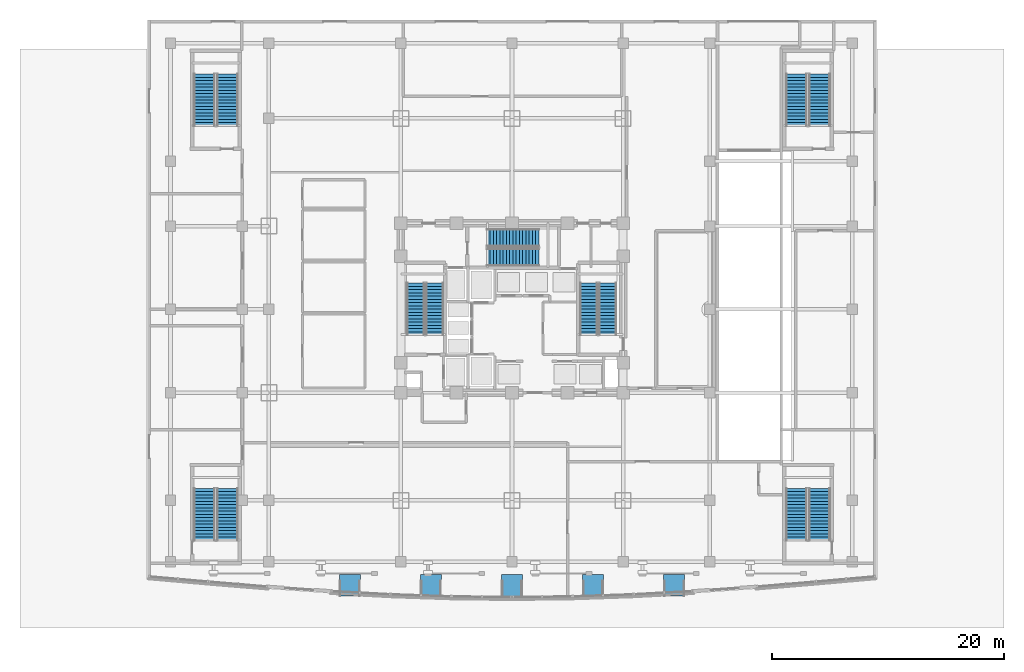
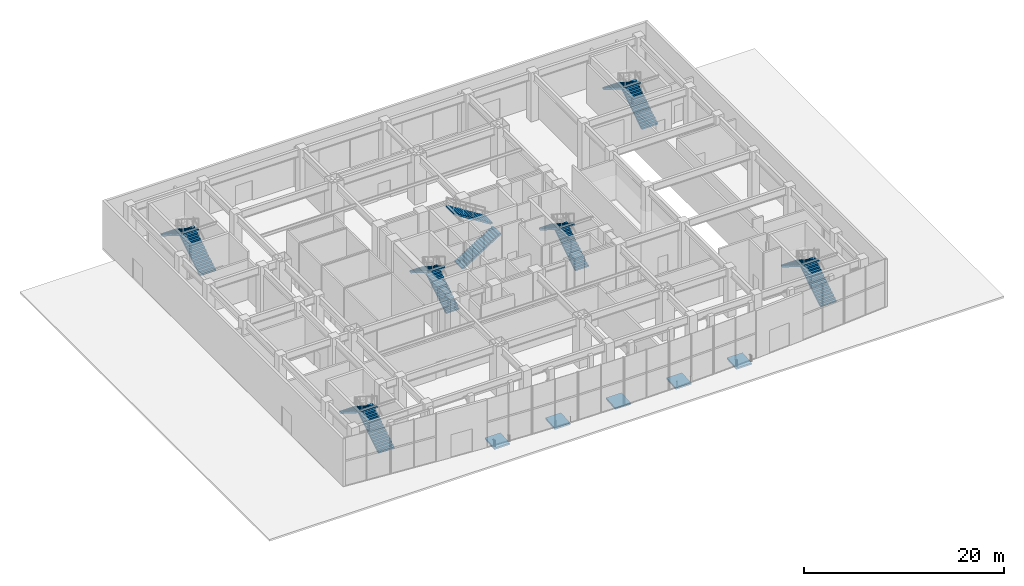
# One storey, part 16 of 23: 14 stair flights, 5 ramp flights, 12 elements without a shape of their own.
"""IFC4 building model written with IfcOpenShell, lengths in metres."""

from ifc_helpers import new_model, si_unit, direction, frame, origin, place, context, subcontext, project, spatial, polyline, outline, extrude, material, layer, layer_set, type_object, element, aggregate, save


model = new_model("IFC4")

# Units and contexts
model_context = context("Model", 3, precision=1e-05, world=origin(), true_north=direction((0.0, 1.0)))
body_context = subcontext(model_context, "Body", "Model", "MODEL_VIEW")
ifc_project = project(units=[si_unit("LENGTHUNIT", "METRE"), si_unit("AREAUNIT", "SQUARE_METRE"), si_unit("VOLUMEUNIT", "CUBIC_METRE"), si_unit("PLANEANGLEUNIT", "RADIAN"), si_unit("MASSUNIT", "GRAM", prefix="KILO")], contexts=[model_context])

# Site, building, storey
site_placement = place(None, origin())
site = spatial("IfcSite", under=ifc_project, at=site_placement, CompositionType="ELEMENT")
building_placement = place(site_placement, origin())
building = spatial("IfcBuilding", under=site, at=building_placement, Name="Vantalir Tower", CompositionType="ELEMENT")
storey_placement = place(building_placement, origin())
storey = spatial("IfcBuildingStorey", under=building, at=storey_placement, Name="L00", CompositionType="ELEMENT", Elevation=0.0)

# Stair, stair flights
ifc_material = material(Name="Concrete C40/50", Category="concrete")
stair_type_1 = type_object("IfcStairType", Name="STR-CORE-1450", PredefinedType="HALF_TURN_STAIR", material=ifc_material)
stair_1_placement = place(storey_placement, origin())
stair_1 = element("IfcStair", 1, at=stair_1_placement, inside=storey, type_object=stair_type_1, Name="L00 Core Exit Stair 1", PredefinedType="HALF_TURN_STAIR")
stair_flight_type_1 = type_object("IfcStairFlightType", Name="FLT-CORE-1450", PredefinedType="STRAIGHT", material=ifc_material)
stair_flight_1_placement = place(storey_placement, frame((24.830078125, 22.7900390625, 0.0), z_axis=(0.0, 0.0, 1.0), x_axis=(0.0, 1.0, 0.0)))
stair_flight_1 = element("IfcStairFlight", 2, at=stair_flight_1_placement, type_object=stair_flight_type_1, Name="ST1 flight 1", NumberOfRisers=17, NumberOfTreads=16, PredefinedType="STRAIGHT", RiserHeight=0.176470588, TreadLength=0.28, context=body_context, shape_type="SweptSolid", body=[
    extrude(outline(polyline([(0.0, 0.0), (0.0, 0.176513671875), (0.280029296875, 0.176513671875), (0.280029296875, 0.35302734375), (0.56005859375, 0.35302734375), (0.56005859375, 0.529296875), (0.840087890625, 0.529296875), (0.840087890625, 0.705810546875), (1.1201171875, 0.705810546875), (1.1201171875, 0.88232421875), (1.39990234375, 0.88232421875), (1.39990234375, 1.058837890625), (1.679931640625, 1.058837890625), (1.679931640625, 1.2353515625), (1.9599609375, 1.2353515625), (1.9599609375, 1.411865234375), (2.239990234375, 1.411865234375), (2.239990234375, 1.588134765625), (2.52001953125, 1.588134765625), (2.52001953125, 1.7646484375), (2.800048828125, 1.7646484375), (2.800048828125, 1.941162109375), (3.080078125, 1.941162109375), (3.080078125, 2.11767578125), (3.360107421875, 2.11767578125), (3.360107421875, 2.294189453125), (3.639892578125, 2.294189453125), (3.639892578125, 2.470703125), (3.919921875, 2.470703125), (3.919921875, 2.64697265625), (4.199951171875, 2.64697265625), (4.199951171875, 2.823486328125), (4.47998046875, 2.823486328125), (4.47998046875, 3.0), (4.47998046875, 2.646240234375), (0.28125, 0.0), (0.0, 0.0)])), frame((0.0, 0.77001953125, 0.0), z_axis=(0.0, -1.0, 0.0), x_axis=(1.0, 0.0, 0.0)), (0.0, 0.0, 1.0), 1.5400390625),
])
stair_flight_2_placement = place(storey_placement, frame((23.169921875, 27.27001953125, 3.0), z_axis=(0.0, 0.0, 1.0), x_axis=(0.0, -1.0, 0.0)))
stair_flight_2 = element("IfcStairFlight", 3, at=stair_flight_2_placement, type_object=stair_flight_type_1, Name="ST1 flight 2", NumberOfRisers=17, NumberOfTreads=16, PredefinedType="STRAIGHT", RiserHeight=0.176470588, TreadLength=0.28, context=body_context, shape_type="SweptSolid", body=[
    extrude(outline(polyline([(0.0, 0.0), (0.0, 0.176513671875), (0.280029296875, 0.176513671875), (0.280029296875, 0.35302734375), (0.56005859375, 0.35302734375), (0.56005859375, 0.529296875), (0.840087890625, 0.529296875), (0.840087890625, 0.705810546875), (1.1201171875, 0.705810546875), (1.1201171875, 0.88232421875), (1.39990234375, 0.88232421875), (1.39990234375, 1.058837890625), (1.679931640625, 1.058837890625), (1.679931640625, 1.2353515625), (1.9599609375, 1.2353515625), (1.9599609375, 1.411865234375), (2.239990234375, 1.411865234375), (2.239990234375, 1.588134765625), (2.52001953125, 1.588134765625), (2.52001953125, 1.7646484375), (2.800048828125, 1.7646484375), (2.800048828125, 1.941162109375), (3.080078125, 1.941162109375), (3.080078125, 2.11767578125), (3.360107421875, 2.11767578125), (3.360107421875, 2.294189453125), (3.639892578125, 2.294189453125), (3.639892578125, 2.470703125), (3.919921875, 2.470703125), (3.919921875, 2.64697265625), (4.199951171875, 2.64697265625), (4.199951171875, 2.823486328125), (4.47998046875, 2.823486328125), (4.47998046875, 3.0), (4.47998046875, 2.646240234375), (0.28125, 0.0), (0.0, 0.0)])), frame((0.0, 0.77001953125, 0.0), z_axis=(0.0, -1.0, 0.0), x_axis=(1.0, 0.0, 0.0)), (0.0, 0.0, 1.0), 1.5400390625),
])
aggregate(stair_1, [stair_flight_1, stair_flight_2])

stair_2_placement = place(storey_placement, origin())
stair_2 = element("IfcStair", 4, at=stair_2_placement, inside=storey, type_object=stair_type_1, Name="L00 Core Exit Stair 2", PredefinedType="HALF_TURN_STAIR")
stair_flight_3_placement = place(storey_placement, frame((39.780029296875, 22.7900390625, 0.0), z_axis=(0.0, 0.0, 1.0), x_axis=(0.0, 1.0, 0.0)))
stair_flight_3 = element("IfcStairFlight", 5, at=stair_flight_3_placement, type_object=stair_flight_type_1, Name="ST2 flight 1", NumberOfRisers=17, NumberOfTreads=16, PredefinedType="STRAIGHT", RiserHeight=0.176470588, TreadLength=0.28, context=body_context, shape_type="SweptSolid", body=[
    extrude(outline(polyline([(0.0, 0.0), (0.0, 0.176513671875), (0.280029296875, 0.176513671875), (0.280029296875, 0.35302734375), (0.56005859375, 0.35302734375), (0.56005859375, 0.529296875), (0.840087890625, 0.529296875), (0.840087890625, 0.705810546875), (1.1201171875, 0.705810546875), (1.1201171875, 0.88232421875), (1.39990234375, 0.88232421875), (1.39990234375, 1.058837890625), (1.679931640625, 1.058837890625), (1.679931640625, 1.2353515625), (1.9599609375, 1.2353515625), (1.9599609375, 1.411865234375), (2.239990234375, 1.411865234375), (2.239990234375, 1.588134765625), (2.52001953125, 1.588134765625), (2.52001953125, 1.7646484375), (2.800048828125, 1.7646484375), (2.800048828125, 1.941162109375), (3.080078125, 1.941162109375), (3.080078125, 2.11767578125), (3.360107421875, 2.11767578125), (3.360107421875, 2.294189453125), (3.639892578125, 2.294189453125), (3.639892578125, 2.470703125), (3.919921875, 2.470703125), (3.919921875, 2.64697265625), (4.199951171875, 2.64697265625), (4.199951171875, 2.823486328125), (4.47998046875, 2.823486328125), (4.47998046875, 3.0), (4.47998046875, 2.646240234375), (0.28125, 0.0), (0.0, 0.0)])), frame((0.0, 0.77001953125, 0.0), z_axis=(0.0, -1.0, 0.0), x_axis=(1.0, 0.0, 0.0)), (0.0, 0.0, 1.0), 1.5400390625),
])
stair_flight_4_placement = place(storey_placement, frame((38.1201171875, 27.27001953125, 3.0), z_axis=(0.0, 0.0, 1.0), x_axis=(0.0, -1.0, 0.0)))
stair_flight_4 = element("IfcStairFlight", 6, at=stair_flight_4_placement, type_object=stair_flight_type_1, Name="ST2 flight 2", NumberOfRisers=17, NumberOfTreads=16, PredefinedType="STRAIGHT", RiserHeight=0.176470588, TreadLength=0.28, context=body_context, shape_type="SweptSolid", body=[
    extrude(outline(polyline([(0.0, 0.0), (0.0, 0.176513671875), (0.280029296875, 0.176513671875), (0.280029296875, 0.35302734375), (0.56005859375, 0.35302734375), (0.56005859375, 0.529296875), (0.840087890625, 0.529296875), (0.840087890625, 0.705810546875), (1.1201171875, 0.705810546875), (1.1201171875, 0.88232421875), (1.39990234375, 0.88232421875), (1.39990234375, 1.058837890625), (1.679931640625, 1.058837890625), (1.679931640625, 1.2353515625), (1.9599609375, 1.2353515625), (1.9599609375, 1.411865234375), (2.239990234375, 1.411865234375), (2.239990234375, 1.588134765625), (2.52001953125, 1.588134765625), (2.52001953125, 1.7646484375), (2.800048828125, 1.7646484375), (2.800048828125, 1.941162109375), (3.080078125, 1.941162109375), (3.080078125, 2.11767578125), (3.360107421875, 2.11767578125), (3.360107421875, 2.294189453125), (3.639892578125, 2.294189453125), (3.639892578125, 2.470703125), (3.919921875, 2.470703125), (3.919921875, 2.64697265625), (4.199951171875, 2.64697265625), (4.199951171875, 2.823486328125), (4.47998046875, 2.823486328125), (4.47998046875, 3.0), (4.47998046875, 2.646240234375), (0.28125, 0.0), (0.0, 0.0)])), frame((0.0, 0.77001953125, 0.0), z_axis=(0.0, -1.0, 0.0), x_axis=(1.0, 0.0, 0.0)), (0.0, 0.0, 1.0), 1.5400390625),
])
aggregate(stair_2, [stair_flight_3, stair_flight_4])

stair_3_placement = place(storey_placement, origin())
stair_3 = element("IfcStair", 7, at=stair_3_placement, inside=storey, type_object=stair_type_1, Name="L00 Core Exit Stair 3", PredefinedType="HALF_TURN_STAIR")
stair_flight_5_placement = place(storey_placement, frame((29.340087890625, 29.52001953125, 0.0), z_axis=(0.0, 0.0, 1.0), x_axis=(1.0, 0.0, 0.0)))
stair_flight_5 = element("IfcStairFlight", 8, at=stair_flight_5_placement, type_object=stair_flight_type_1, Name="ST3 flight 1", NumberOfRisers=17, NumberOfTreads=16, PredefinedType="STRAIGHT", RiserHeight=0.176470588, TreadLength=0.28, context=body_context, shape_type="SweptSolid", body=[
    extrude(outline(polyline([(0.0, 0.0), (0.0, 0.176513671875), (0.280029296875, 0.176513671875), (0.280029296875, 0.35302734375), (0.56005859375, 0.35302734375), (0.56005859375, 0.529296875), (0.840087890625, 0.529296875), (0.840087890625, 0.705810546875), (1.1201171875, 0.705810546875), (1.1201171875, 0.88232421875), (1.39990234375, 0.88232421875), (1.39990234375, 1.058837890625), (1.679931640625, 1.058837890625), (1.679931640625, 1.2353515625), (1.9599609375, 1.2353515625), (1.9599609375, 1.411865234375), (2.239990234375, 1.411865234375), (2.239990234375, 1.588134765625), (2.52001953125, 1.588134765625), (2.52001953125, 1.7646484375), (2.800048828125, 1.7646484375), (2.800048828125, 1.941162109375), (3.080078125, 1.941162109375), (3.080078125, 2.11767578125), (3.360107421875, 2.11767578125), (3.360107421875, 2.294189453125), (3.639892578125, 2.294189453125), (3.639892578125, 2.470703125), (3.919921875, 2.470703125), (3.919921875, 2.64697265625), (4.199951171875, 2.64697265625), (4.199951171875, 2.823486328125), (4.47998046875, 2.823486328125), (4.47998046875, 3.0), (4.47998046875, 2.646240234375), (0.28125, 0.0), (0.0, 0.0)])), frame((0.0, 0.77001953125, 0.0), z_axis=(0.0, -1.0, 0.0), x_axis=(1.0, 0.0, 0.0)), (0.0, 0.0, 1.0), 1.5400390625),
])
stair_flight_6_placement = place(storey_placement, frame((33.820068359375, 31.179931640625, 3.0), z_axis=(0.0, 0.0, 1.0), x_axis=(-1.0, 0.0, 0.0)))
stair_flight_6 = element("IfcStairFlight", 9, at=stair_flight_6_placement, type_object=stair_flight_type_1, Name="ST3 flight 2", NumberOfRisers=17, NumberOfTreads=16, PredefinedType="STRAIGHT", RiserHeight=0.176470588, TreadLength=0.28, context=body_context, shape_type="SweptSolid", body=[
    extrude(outline(polyline([(0.0, 0.0), (0.0, 0.176513671875), (0.280029296875, 0.176513671875), (0.280029296875, 0.35302734375), (0.56005859375, 0.35302734375), (0.56005859375, 0.529296875), (0.840087890625, 0.529296875), (0.840087890625, 0.705810546875), (1.1201171875, 0.705810546875), (1.1201171875, 0.88232421875), (1.39990234375, 0.88232421875), (1.39990234375, 1.058837890625), (1.679931640625, 1.058837890625), (1.679931640625, 1.2353515625), (1.9599609375, 1.2353515625), (1.9599609375, 1.411865234375), (2.239990234375, 1.411865234375), (2.239990234375, 1.588134765625), (2.52001953125, 1.588134765625), (2.52001953125, 1.7646484375), (2.800048828125, 1.7646484375), (2.800048828125, 1.941162109375), (3.080078125, 1.941162109375), (3.080078125, 2.11767578125), (3.360107421875, 2.11767578125), (3.360107421875, 2.294189453125), (3.639892578125, 2.294189453125), (3.639892578125, 2.470703125), (3.919921875, 2.470703125), (3.919921875, 2.64697265625), (4.199951171875, 2.64697265625), (4.199951171875, 2.823486328125), (4.47998046875, 2.823486328125), (4.47998046875, 3.0), (4.47998046875, 2.646240234375), (0.28125, 0.0), (0.0, 0.0)])), frame((0.0, 0.77001953125, 0.0), z_axis=(0.0, -1.0, 0.0), x_axis=(1.0, 0.0, 0.0)), (0.0, 0.0, 1.0), 1.5400390625),
])
aggregate(stair_3, [stair_flight_5, stair_flight_6])

stair_type_2 = type_object("IfcStairType", Name="STR-POD-1550", PredefinedType="HALF_TURN_STAIR", material=ifc_material)
stair_4_placement = place(storey_placement, origin())
stair_4 = element("IfcStair", 10, at=stair_4_placement, inside=storey, type_object=stair_type_2, Name="L00 Podium Exit Stair 1", PredefinedType="HALF_TURN_STAIR")
stair_flight_type_2 = type_object("IfcStairFlightType", Name="FLT-POD-1550", PredefinedType="STRAIGHT", material=ifc_material)
stair_flight_7_placement = place(storey_placement, frame((6.925048828125, 40.85009765625, 0.0), z_axis=(0.0, 0.0, 1.0), x_axis=(0.0, 1.0, 0.0)))
stair_flight_7 = element("IfcStairFlight", 11, at=stair_flight_7_placement, type_object=stair_flight_type_2, Name="PST1 flight 1", NumberOfRisers=17, NumberOfTreads=16, PredefinedType="STRAIGHT", RiserHeight=0.176470588, TreadLength=0.28, context=body_context, shape_type="SweptSolid", body=[
    extrude(outline(polyline([(0.0, 0.0), (0.0, 0.176513671875), (0.280029296875, 0.176513671875), (0.280029296875, 0.35302734375), (0.56005859375, 0.35302734375), (0.56005859375, 0.529296875), (0.840087890625, 0.529296875), (0.840087890625, 0.705810546875), (1.1201171875, 0.705810546875), (1.1201171875, 0.88232421875), (1.39990234375, 0.88232421875), (1.39990234375, 1.058837890625), (1.679931640625, 1.058837890625), (1.679931640625, 1.2353515625), (1.9599609375, 1.2353515625), (1.9599609375, 1.411865234375), (2.239990234375, 1.411865234375), (2.239990234375, 1.588134765625), (2.52001953125, 1.588134765625), (2.52001953125, 1.7646484375), (2.800048828125, 1.7646484375), (2.800048828125, 1.941162109375), (3.080078125, 1.941162109375), (3.080078125, 2.11767578125), (3.360107421875, 2.11767578125), (3.360107421875, 2.294189453125), (3.639892578125, 2.294189453125), (3.639892578125, 2.470703125), (3.919921875, 2.470703125), (3.919921875, 2.64697265625), (4.199951171875, 2.64697265625), (4.199951171875, 2.823486328125), (4.47998046875, 2.823486328125), (4.47998046875, 3.0), (4.47998046875, 2.646240234375), (0.28125, 0.0), (0.0, 0.0)])), frame((0.0, 0.925048828125, 0.0), z_axis=(0.0, -1.0, 0.0), x_axis=(1.0, 0.0, 0.0)), (0.0, 0.0, 1.0), 1.85009765625),
])
stair_flight_8_placement = place(storey_placement, frame((4.925048828125, 45.330078125, 3.0), z_axis=(0.0, 0.0, 1.0), x_axis=(0.0, -1.0, 0.0)))
stair_flight_8 = element("IfcStairFlight", 12, at=stair_flight_8_placement, type_object=stair_flight_type_2, Name="PST1 flight 2", NumberOfRisers=17, NumberOfTreads=16, PredefinedType="STRAIGHT", RiserHeight=0.176470588, TreadLength=0.28, context=body_context, shape_type="SweptSolid", body=[
    extrude(outline(polyline([(0.0, 0.0), (0.0, 0.176513671875), (0.280029296875, 0.176513671875), (0.280029296875, 0.35302734375), (0.56005859375, 0.35302734375), (0.56005859375, 0.529296875), (0.840087890625, 0.529296875), (0.840087890625, 0.705810546875), (1.1201171875, 0.705810546875), (1.1201171875, 0.88232421875), (1.39990234375, 0.88232421875), (1.39990234375, 1.058837890625), (1.679931640625, 1.058837890625), (1.679931640625, 1.2353515625), (1.9599609375, 1.2353515625), (1.9599609375, 1.411865234375), (2.239990234375, 1.411865234375), (2.239990234375, 1.588134765625), (2.52001953125, 1.588134765625), (2.52001953125, 1.7646484375), (2.800048828125, 1.7646484375), (2.800048828125, 1.941162109375), (3.080078125, 1.941162109375), (3.080078125, 2.11767578125), (3.360107421875, 2.11767578125), (3.360107421875, 2.294189453125), (3.639892578125, 2.294189453125), (3.639892578125, 2.470703125), (3.919921875, 2.470703125), (3.919921875, 2.64697265625), (4.199951171875, 2.64697265625), (4.199951171875, 2.823486328125), (4.47998046875, 2.823486328125), (4.47998046875, 3.0), (4.47998046875, 2.646240234375), (0.28125, 0.0), (0.0, 0.0)])), frame((0.0, 0.925048828125, 0.0), z_axis=(0.0, -1.0, 0.0), x_axis=(1.0, 0.0, 0.0)), (0.0, 0.0, 1.0), 1.85009765625),
])
aggregate(stair_4, [stair_flight_7, stair_flight_8])

stair_5_placement = place(storey_placement, origin())
stair_5 = element("IfcStair", 13, at=stair_5_placement, inside=storey, type_object=stair_type_2, Name="L00 Podium Exit Stair 2", PredefinedType="HALF_TURN_STAIR")
stair_flight_9_placement = place(storey_placement, frame((58.074951171875, 40.85009765625, 0.0), z_axis=(0.0, 0.0, 1.0), x_axis=(0.0, 1.0, 0.0)))
stair_flight_9 = element("IfcStairFlight", 14, at=stair_flight_9_placement, type_object=stair_flight_type_2, Name="PST2 flight 1", NumberOfRisers=17, NumberOfTreads=16, PredefinedType="STRAIGHT", RiserHeight=0.176470588, TreadLength=0.28, context=body_context, shape_type="SweptSolid", body=[
    extrude(outline(polyline([(0.0, 0.0), (0.0, 0.176513671875), (0.280029296875, 0.176513671875), (0.280029296875, 0.35302734375), (0.56005859375, 0.35302734375), (0.56005859375, 0.529296875), (0.840087890625, 0.529296875), (0.840087890625, 0.705810546875), (1.1201171875, 0.705810546875), (1.1201171875, 0.88232421875), (1.39990234375, 0.88232421875), (1.39990234375, 1.058837890625), (1.679931640625, 1.058837890625), (1.679931640625, 1.2353515625), (1.9599609375, 1.2353515625), (1.9599609375, 1.411865234375), (2.239990234375, 1.411865234375), (2.239990234375, 1.588134765625), (2.52001953125, 1.588134765625), (2.52001953125, 1.7646484375), (2.800048828125, 1.7646484375), (2.800048828125, 1.941162109375), (3.080078125, 1.941162109375), (3.080078125, 2.11767578125), (3.360107421875, 2.11767578125), (3.360107421875, 2.294189453125), (3.639892578125, 2.294189453125), (3.639892578125, 2.470703125), (3.919921875, 2.470703125), (3.919921875, 2.64697265625), (4.199951171875, 2.64697265625), (4.199951171875, 2.823486328125), (4.47998046875, 2.823486328125), (4.47998046875, 3.0), (4.47998046875, 2.646240234375), (0.28125, 0.0), (0.0, 0.0)])), frame((0.0, 0.925048828125, 0.0), z_axis=(0.0, -1.0, 0.0), x_axis=(1.0, 0.0, 0.0)), (0.0, 0.0, 1.0), 1.85009765625),
])
stair_flight_10_placement = place(storey_placement, frame((56.074951171875, 45.330078125, 3.0), z_axis=(0.0, 0.0, 1.0), x_axis=(0.0, -1.0, 0.0)))
stair_flight_10 = element("IfcStairFlight", 15, at=stair_flight_10_placement, type_object=stair_flight_type_2, Name="PST2 flight 2", NumberOfRisers=17, NumberOfTreads=16, PredefinedType="STRAIGHT", RiserHeight=0.176470588, TreadLength=0.28, context=body_context, shape_type="SweptSolid", body=[
    extrude(outline(polyline([(0.0, 0.0), (0.0, 0.176513671875), (0.280029296875, 0.176513671875), (0.280029296875, 0.35302734375), (0.56005859375, 0.35302734375), (0.56005859375, 0.529296875), (0.840087890625, 0.529296875), (0.840087890625, 0.705810546875), (1.1201171875, 0.705810546875), (1.1201171875, 0.88232421875), (1.39990234375, 0.88232421875), (1.39990234375, 1.058837890625), (1.679931640625, 1.058837890625), (1.679931640625, 1.2353515625), (1.9599609375, 1.2353515625), (1.9599609375, 1.411865234375), (2.239990234375, 1.411865234375), (2.239990234375, 1.588134765625), (2.52001953125, 1.588134765625), (2.52001953125, 1.7646484375), (2.800048828125, 1.7646484375), (2.800048828125, 1.941162109375), (3.080078125, 1.941162109375), (3.080078125, 2.11767578125), (3.360107421875, 2.11767578125), (3.360107421875, 2.294189453125), (3.639892578125, 2.294189453125), (3.639892578125, 2.470703125), (3.919921875, 2.470703125), (3.919921875, 2.64697265625), (4.199951171875, 2.64697265625), (4.199951171875, 2.823486328125), (4.47998046875, 2.823486328125), (4.47998046875, 3.0), (4.47998046875, 2.646240234375), (0.28125, 0.0), (0.0, 0.0)])), frame((0.0, 0.925048828125, 0.0), z_axis=(0.0, -1.0, 0.0), x_axis=(1.0, 0.0, 0.0)), (0.0, 0.0, 1.0), 1.85009765625),
])
aggregate(stair_5, [stair_flight_9, stair_flight_10])

stair_6_placement = place(storey_placement, origin())
stair_6 = element("IfcStair", 16, at=stair_6_placement, inside=storey, type_object=stair_type_2, Name="L00 Podium Exit Stair 3", PredefinedType="HALF_TURN_STAIR")
stair_flight_11_placement = place(storey_placement, frame((6.925048828125, 5.050048828125, 0.0), z_axis=(0.0, 0.0, 1.0), x_axis=(0.0, 1.0, 0.0)))
stair_flight_11 = element("IfcStairFlight", 17, at=stair_flight_11_placement, type_object=stair_flight_type_2, Name="PST3 flight 1", NumberOfRisers=17, NumberOfTreads=16, PredefinedType="STRAIGHT", RiserHeight=0.176470588, TreadLength=0.28, context=body_context, shape_type="SweptSolid", body=[
    extrude(outline(polyline([(0.0, 0.0), (0.0, 0.176513671875), (0.280029296875, 0.176513671875), (0.280029296875, 0.35302734375), (0.56005859375, 0.35302734375), (0.56005859375, 0.529296875), (0.840087890625, 0.529296875), (0.840087890625, 0.705810546875), (1.1201171875, 0.705810546875), (1.1201171875, 0.88232421875), (1.39990234375, 0.88232421875), (1.39990234375, 1.058837890625), (1.679931640625, 1.058837890625), (1.679931640625, 1.2353515625), (1.9599609375, 1.2353515625), (1.9599609375, 1.411865234375), (2.239990234375, 1.411865234375), (2.239990234375, 1.588134765625), (2.52001953125, 1.588134765625), (2.52001953125, 1.7646484375), (2.800048828125, 1.7646484375), (2.800048828125, 1.941162109375), (3.080078125, 1.941162109375), (3.080078125, 2.11767578125), (3.360107421875, 2.11767578125), (3.360107421875, 2.294189453125), (3.639892578125, 2.294189453125), (3.639892578125, 2.470703125), (3.919921875, 2.470703125), (3.919921875, 2.64697265625), (4.199951171875, 2.64697265625), (4.199951171875, 2.823486328125), (4.47998046875, 2.823486328125), (4.47998046875, 3.0), (4.47998046875, 2.646240234375), (0.28125, 0.0), (0.0, 0.0)])), frame((0.0, 0.925048828125, 0.0), z_axis=(0.0, -1.0, 0.0), x_axis=(1.0, 0.0, 0.0)), (0.0, 0.0, 1.0), 1.85009765625),
])
stair_flight_12_placement = place(storey_placement, frame((4.925048828125, 9.530029296875, 3.0), z_axis=(0.0, 0.0, 1.0), x_axis=(0.0, -1.0, 0.0)))
stair_flight_12 = element("IfcStairFlight", 18, at=stair_flight_12_placement, type_object=stair_flight_type_2, Name="PST3 flight 2", NumberOfRisers=17, NumberOfTreads=16, PredefinedType="STRAIGHT", RiserHeight=0.176470588, TreadLength=0.28, context=body_context, shape_type="SweptSolid", body=[
    extrude(outline(polyline([(0.0, 0.0), (0.0, 0.176513671875), (0.280029296875, 0.176513671875), (0.280029296875, 0.35302734375), (0.56005859375, 0.35302734375), (0.56005859375, 0.529296875), (0.840087890625, 0.529296875), (0.840087890625, 0.705810546875), (1.1201171875, 0.705810546875), (1.1201171875, 0.88232421875), (1.39990234375, 0.88232421875), (1.39990234375, 1.058837890625), (1.679931640625, 1.058837890625), (1.679931640625, 1.2353515625), (1.9599609375, 1.2353515625), (1.9599609375, 1.411865234375), (2.239990234375, 1.411865234375), (2.239990234375, 1.588134765625), (2.52001953125, 1.588134765625), (2.52001953125, 1.7646484375), (2.800048828125, 1.7646484375), (2.800048828125, 1.941162109375), (3.080078125, 1.941162109375), (3.080078125, 2.11767578125), (3.360107421875, 2.11767578125), (3.360107421875, 2.294189453125), (3.639892578125, 2.294189453125), (3.639892578125, 2.470703125), (3.919921875, 2.470703125), (3.919921875, 2.64697265625), (4.199951171875, 2.64697265625), (4.199951171875, 2.823486328125), (4.47998046875, 2.823486328125), (4.47998046875, 3.0), (4.47998046875, 2.646240234375), (0.28125, 0.0), (0.0, 0.0)])), frame((0.0, 0.925048828125, 0.0), z_axis=(0.0, -1.0, 0.0), x_axis=(1.0, 0.0, 0.0)), (0.0, 0.0, 1.0), 1.85009765625),
])
aggregate(stair_6, [stair_flight_11, stair_flight_12])

stair_7_placement = place(storey_placement, origin())
stair_7 = element("IfcStair", 19, at=stair_7_placement, inside=storey, type_object=stair_type_2, Name="L00 Podium Exit Stair 4", PredefinedType="HALF_TURN_STAIR")
stair_flight_13_placement = place(storey_placement, frame((58.074951171875, 5.050048828125, 0.0), z_axis=(0.0, 0.0, 1.0), x_axis=(0.0, 1.0, 0.0)))
stair_flight_13 = element("IfcStairFlight", 20, at=stair_flight_13_placement, type_object=stair_flight_type_2, Name="PST4 flight 1", NumberOfRisers=17, NumberOfTreads=16, PredefinedType="STRAIGHT", RiserHeight=0.176470588, TreadLength=0.28, context=body_context, shape_type="SweptSolid", body=[
    extrude(outline(polyline([(0.0, 0.0), (0.0, 0.176513671875), (0.280029296875, 0.176513671875), (0.280029296875, 0.35302734375), (0.56005859375, 0.35302734375), (0.56005859375, 0.529296875), (0.840087890625, 0.529296875), (0.840087890625, 0.705810546875), (1.1201171875, 0.705810546875), (1.1201171875, 0.88232421875), (1.39990234375, 0.88232421875), (1.39990234375, 1.058837890625), (1.679931640625, 1.058837890625), (1.679931640625, 1.2353515625), (1.9599609375, 1.2353515625), (1.9599609375, 1.411865234375), (2.239990234375, 1.411865234375), (2.239990234375, 1.588134765625), (2.52001953125, 1.588134765625), (2.52001953125, 1.7646484375), (2.800048828125, 1.7646484375), (2.800048828125, 1.941162109375), (3.080078125, 1.941162109375), (3.080078125, 2.11767578125), (3.360107421875, 2.11767578125), (3.360107421875, 2.294189453125), (3.639892578125, 2.294189453125), (3.639892578125, 2.470703125), (3.919921875, 2.470703125), (3.919921875, 2.64697265625), (4.199951171875, 2.64697265625), (4.199951171875, 2.823486328125), (4.47998046875, 2.823486328125), (4.47998046875, 3.0), (4.47998046875, 2.646240234375), (0.28125, 0.0), (0.0, 0.0)])), frame((0.0, 0.925048828125, 0.0), z_axis=(0.0, -1.0, 0.0), x_axis=(1.0, 0.0, 0.0)), (0.0, 0.0, 1.0), 1.85009765625),
])
stair_flight_14_placement = place(storey_placement, frame((56.074951171875, 9.530029296875, 3.0), z_axis=(0.0, 0.0, 1.0), x_axis=(0.0, -1.0, 0.0)))
stair_flight_14 = element("IfcStairFlight", 21, at=stair_flight_14_placement, type_object=stair_flight_type_2, Name="PST4 flight 2", NumberOfRisers=17, NumberOfTreads=16, PredefinedType="STRAIGHT", RiserHeight=0.176470588, TreadLength=0.28, context=body_context, shape_type="SweptSolid", body=[
    extrude(outline(polyline([(0.0, 0.0), (0.0, 0.176513671875), (0.280029296875, 0.176513671875), (0.280029296875, 0.35302734375), (0.56005859375, 0.35302734375), (0.56005859375, 0.529296875), (0.840087890625, 0.529296875), (0.840087890625, 0.705810546875), (1.1201171875, 0.705810546875), (1.1201171875, 0.88232421875), (1.39990234375, 0.88232421875), (1.39990234375, 1.058837890625), (1.679931640625, 1.058837890625), (1.679931640625, 1.2353515625), (1.9599609375, 1.2353515625), (1.9599609375, 1.411865234375), (2.239990234375, 1.411865234375), (2.239990234375, 1.588134765625), (2.52001953125, 1.588134765625), (2.52001953125, 1.7646484375), (2.800048828125, 1.7646484375), (2.800048828125, 1.941162109375), (3.080078125, 1.941162109375), (3.080078125, 2.11767578125), (3.360107421875, 2.11767578125), (3.360107421875, 2.294189453125), (3.639892578125, 2.294189453125), (3.639892578125, 2.470703125), (3.919921875, 2.470703125), (3.919921875, 2.64697265625), (4.199951171875, 2.64697265625), (4.199951171875, 2.823486328125), (4.47998046875, 2.823486328125), (4.47998046875, 3.0), (4.47998046875, 2.646240234375), (0.28125, 0.0), (0.0, 0.0)])), frame((0.0, 0.925048828125, 0.0), z_axis=(0.0, -1.0, 0.0), x_axis=(1.0, 0.0, 0.0)), (0.0, 0.0, 1.0), 1.85009765625),
])
aggregate(stair_7, [stair_flight_13, stair_flight_14])

# Ramp, ramp flight
ramp_type = type_object("IfcRampType", Name="RMP-ACCESS-1800", PredefinedType="STRAIGHT_RUN_RAMP", material=ifc_material)
ramp_1_placement = place(storey_placement, origin())
ramp_1 = element("IfcRamp", 22, at=ramp_1_placement, inside=storey, type_object=ramp_type, Name="Waterfront Accessible Entrance Ramp 1", PredefinedType="STRAIGHT_RUN_RAMP")
ifc_layer = layer(ifc_material, 0.199951171875)
ifc_layer_set = layer_set([ifc_layer], Name="Concrete C40/50")
ramp_flight_type = type_object("IfcRampFlightType", Name="RMPF-ACCESS-1800", PredefinedType="STRAIGHT", material=ifc_layer_set)
ramp_flight_1_placement = place(storey_placement, frame((17.5, 0.2509765625, -0.14990234375), z_axis=(0.0, 0.0, 1.0), x_axis=(0.0, 1.0, 0.0)))
ramp_flight_1 = element("IfcRampFlight", 23, at=ramp_flight_1_placement, type_object=ramp_flight_type, Name="Accessible Entrance Ramp 1 Flight", PredefinedType="STRAIGHT", context=body_context, shape_type="SweptSolid", body=[
    extrude(outline(polyline([(0.0, -0.199951171875), (0.0, 0.0), (1.84814453125, 0.14990234375), (1.84814453125, -0.050048828125), (0.0, -0.199951171875)])), frame((0.0, 0.89990234375, 0.0), z_axis=(0.0, -1.0, 0.0), x_axis=(1.0, 0.0, 0.0)), (0.0, 0.0, 1.0), 1.800048828125),
])
aggregate(ramp_1, [ramp_flight_1])

ramp_2_placement = place(storey_placement, origin())
ramp_2 = element("IfcRamp", 24, at=ramp_2_placement, inside=storey, type_object=ramp_type, Name="Waterfront Accessible Entrance Ramp 2", PredefinedType="STRAIGHT_RUN_RAMP")
ramp_flight_2_placement = place(storey_placement, frame((24.5, 0.2509765625, -0.14990234375), z_axis=(0.0, 0.0, 1.0), x_axis=(0.0, 1.0, 0.0)))
ramp_flight_2 = element("IfcRampFlight", 25, at=ramp_flight_2_placement, type_object=ramp_flight_type, Name="Accessible Entrance Ramp 2 Flight", PredefinedType="STRAIGHT", context=body_context, shape_type="SweptSolid", body=[
    extrude(outline(polyline([(0.0, -0.199951171875), (0.0, 0.0), (1.84814453125, 0.14990234375), (1.84814453125, -0.050048828125), (0.0, -0.199951171875)])), frame((0.0, 0.89990234375, 0.0), z_axis=(0.0, -1.0, 0.0), x_axis=(1.0, 0.0, 0.0)), (0.0, 0.0, 1.0), 1.800048828125),
])
aggregate(ramp_2, [ramp_flight_2])

ramp_3_placement = place(storey_placement, origin())
ramp_3 = element("IfcRamp", 26, at=ramp_3_placement, inside=storey, type_object=ramp_type, Name="Waterfront Accessible Entrance Ramp 3", PredefinedType="STRAIGHT_RUN_RAMP")
ramp_flight_3_placement = place(storey_placement, frame((31.5, 0.2509765625, -0.14990234375), z_axis=(0.0, 0.0, 1.0), x_axis=(0.0, 1.0, 0.0)))
ramp_flight_3 = element("IfcRampFlight", 27, at=ramp_flight_3_placement, type_object=ramp_flight_type, Name="Accessible Entrance Ramp 3 Flight", PredefinedType="STRAIGHT", context=body_context, shape_type="SweptSolid", body=[
    extrude(outline(polyline([(0.0, -0.199951171875), (0.0, 0.0), (1.84814453125, 0.14990234375), (1.84814453125, -0.050048828125), (0.0, -0.199951171875)])), frame((0.0, 0.89990234375, 0.0), z_axis=(0.0, -1.0, 0.0), x_axis=(1.0, 0.0, 0.0)), (0.0, 0.0, 1.0), 1.800048828125),
])
aggregate(ramp_3, [ramp_flight_3])

ramp_4_placement = place(storey_placement, origin())
ramp_4 = element("IfcRamp", 28, at=ramp_4_placement, inside=storey, type_object=ramp_type, Name="Waterfront Accessible Entrance Ramp 4", PredefinedType="STRAIGHT_RUN_RAMP")
ramp_flight_4_placement = place(storey_placement, frame((38.5, 0.2509765625, -0.14990234375), z_axis=(0.0, 0.0, 1.0), x_axis=(0.0, 1.0, 0.0)))
ramp_flight_4 = element("IfcRampFlight", 29, at=ramp_flight_4_placement, type_object=ramp_flight_type, Name="Accessible Entrance Ramp 4 Flight", PredefinedType="STRAIGHT", context=body_context, shape_type="SweptSolid", body=[
    extrude(outline(polyline([(0.0, -0.199951171875), (0.0, 0.0), (1.84814453125, 0.14990234375), (1.84814453125, -0.050048828125), (0.0, -0.199951171875)])), frame((0.0, 0.89990234375, 0.0), z_axis=(0.0, -1.0, 0.0), x_axis=(1.0, 0.0, 0.0)), (0.0, 0.0, 1.0), 1.800048828125),
])
aggregate(ramp_4, [ramp_flight_4])

ramp_5_placement = place(storey_placement, origin())
ramp_5 = element("IfcRamp", 30, at=ramp_5_placement, inside=storey, type_object=ramp_type, Name="Waterfront Accessible Entrance Ramp 5", PredefinedType="STRAIGHT_RUN_RAMP")
ramp_flight_5_placement = place(storey_placement, frame((45.5, 0.2509765625, -0.14990234375), z_axis=(0.0, 0.0, 1.0), x_axis=(0.0, 1.0, 0.0)))
ramp_flight_5 = element("IfcRampFlight", 31, at=ramp_flight_5_placement, type_object=ramp_flight_type, Name="Accessible Entrance Ramp 5 Flight", PredefinedType="STRAIGHT", context=body_context, shape_type="SweptSolid", body=[
    extrude(outline(polyline([(0.0, -0.199951171875), (0.0, 0.0), (1.84814453125, 0.14990234375), (1.84814453125, -0.050048828125), (0.0, -0.199951171875)])), frame((0.0, 0.89990234375, 0.0), z_axis=(0.0, -1.0, 0.0), x_axis=(1.0, 0.0, 0.0)), (0.0, 0.0, 1.0), 1.800048828125),
])
aggregate(ramp_5, [ramp_flight_5])

save(model, "model.ifc")
